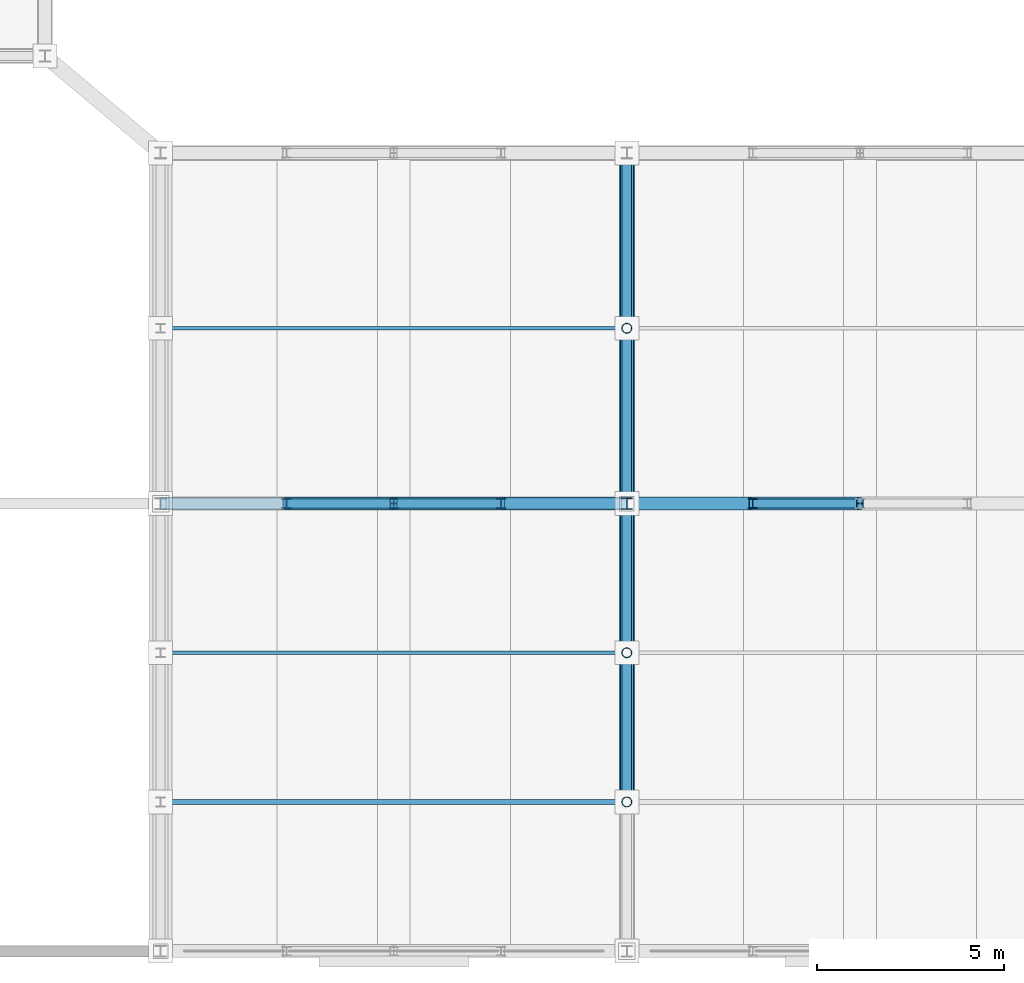
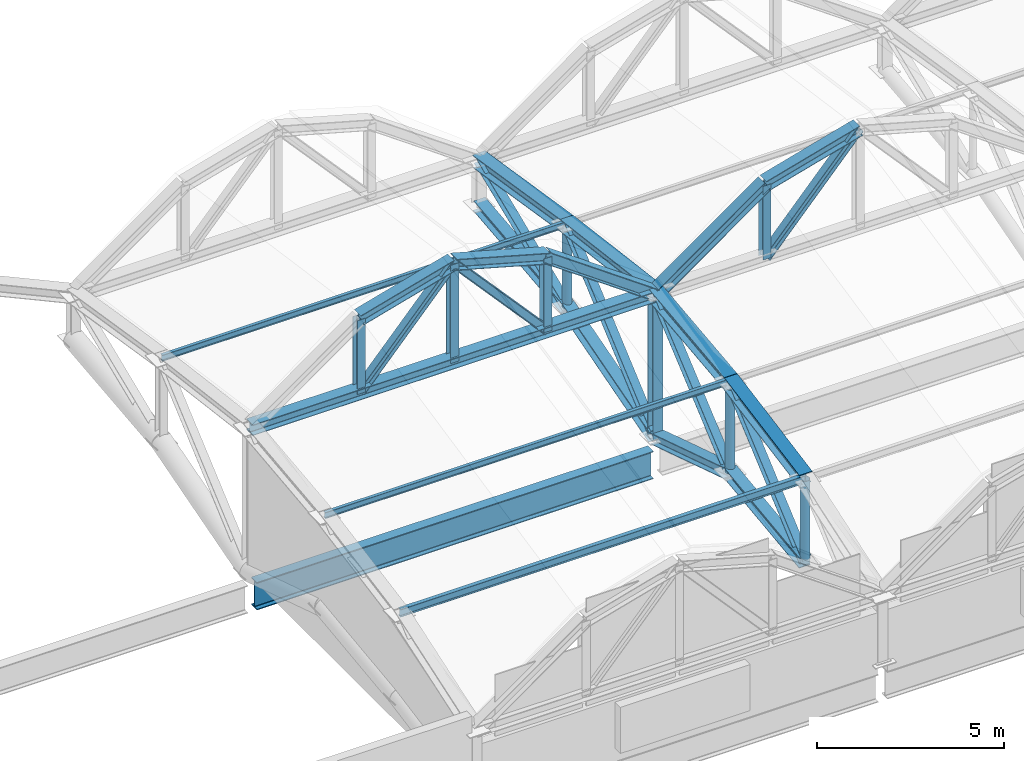
# One storey, part 18 of 117: 32 members, 1 beam.
"""IFC4 building model written with IfcOpenShell, lengths in metres."""

from ifc_helpers import new_model, si_unit, direction, frame, origin, origin_2d, place, context, subcontext, project, spatial, hollow_circle, i_section, extrude, material, material_profile, profile_set, type_object, element, save


model = new_model("IFC4")

# Units and contexts
model_context = context("Model", 3, precision=1e-05, world=origin(), true_north=direction((0.0, 1.0)))
body_context = subcontext(model_context, "Body", "Model", "MODEL_VIEW")
ifc_project = project(units=[si_unit("LENGTHUNIT", "METRE"), si_unit("AREAUNIT", "SQUARE_METRE"), si_unit("VOLUMEUNIT", "CUBIC_METRE"), si_unit("PLANEANGLEUNIT", "RADIAN"), si_unit("MASSUNIT", "GRAM", prefix="KILO")], contexts=[model_context])

# Site, building, storey
site_placement = place(None, origin())
site = spatial("IfcSite", under=ifc_project, at=site_placement, CompositionType="ELEMENT")
building_placement = place(site_placement, origin())
building = spatial("IfcBuilding", under=site, at=building_placement, Name="Kazenohara Klinker Stadium", CompositionType="ELEMENT")
storey_placement = place(building_placement, frame((0.0, 0.0, 31.199951171875)))
storey = spatial("IfcBuildingStorey", under=building, at=storey_placement, Name="RF", CompositionType="ELEMENT", Elevation=31.199951171875)

# Members
ifc_material = material(Name="Steel S355", Category="steel")
ifc_material_profile_1 = material_profile(ifc_material, i_section(OverallWidth=0.25, OverallDepth=0.25, WebThickness=0.009033203125, FlangeThickness=0.013916015625, FilletRadius=0.012939453125, at=origin_2d()), Name="H-250x250x9x14")
ifc_profile_set_1 = profile_set([ifc_material_profile_1], Name="Steel S355")
member_type_1 = type_object("IfcMemberType", Name="MEM-BRC02", PredefinedType="BRACE", material=ifc_profile_set_1)
member_1_placement = place(storey_placement, frame((74.0, 28.0, 0.75), z_axis=(0.0, 0.757253091298, 0.653121547432), x_axis=(-1.0, 0.0, 0.0)))
element("IfcMember", 1, at=member_1_placement, inside=storey, type_object=member_type_1, Name="ROOF TRUSS RT-S02 web diagonal 2", PredefinedType="BRACE", context=body_context, shape_type="SweptSolid", body=[
    extrude(i_section(OverallWidth=0.25, OverallDepth=0.25, WebThickness=0.009033203125, FlangeThickness=0.013916015625, FilletRadius=0.012939453125, at=origin_2d()), origin(), (0.0, 0.0, 1.0), 5.2822265625),
])
member_2_placement = place(storey_placement, frame((74.0, 32.0, 1.25), z_axis=(0.0, 0.761925548551, 0.647664618815), x_axis=(-1.0, 0.0, 0.0)))
element("IfcMember", 2, at=member_2_placement, inside=storey, type_object=member_type_1, Name="ROOF TRUSS RT-S02 web diagonal 3", PredefinedType="BRACE", context=body_context, shape_type="SweptSolid", body=[
    extrude(i_section(OverallWidth=0.25, OverallDepth=0.25, WebThickness=0.009033203125, FlangeThickness=0.013916015625, FilletRadius=0.012939453125, at=origin_2d()), origin(), (0.0, 0.0, 1.0), 5.249755859375),
])
member_3_placement = place(storey_placement, frame((74.0, 36.0, -0.02001953125), z_axis=(0.0, 0.755945561544, 0.65463448426), x_axis=(-1.0, 0.0, 0.0)))
element("IfcMember", 3, at=member_3_placement, inside=storey, type_object=member_type_1, Name="ROOF TRUSS RT-S02 web diagonal 4", PredefinedType="BRACE", context=body_context, shape_type="SweptSolid", body=[
    extrude(i_section(OverallWidth=0.25, OverallDepth=0.25, WebThickness=0.009033203125, FlangeThickness=0.013916015625, FilletRadius=0.012939453125, at=origin_2d()), origin(), (0.0, 0.0, 1.0), 6.21728515625),
])
member_4_placement = place(storey_placement, frame((74.0, 40.699951171875, 1.35009765625), z_axis=(0.0, 0.923659284192, 0.383214726655), x_axis=(-1.0, 0.0, 0.0)))
element("IfcMember", 4, at=member_4_placement, inside=storey, type_object=member_type_1, Name="ROOF TRUSS RT-S02 web diagonal 5", PredefinedType="BRACE", context=body_context, shape_type="SweptSolid", body=[
    extrude(i_section(OverallWidth=0.25, OverallDepth=0.25, WebThickness=0.009033203125, FlangeThickness=0.013916015625, FilletRadius=0.012939453125, at=origin_2d()), origin(), (0.0, 0.0, 1.0), 5.08837890625),
])
ifc_material_profile_2 = material_profile(ifc_material, i_section(OverallWidth=0.39990234375, OverallDepth=0.39990234375, WebThickness=0.012939453125, FlangeThickness=0.02099609375, FilletRadius=0.02197265625, at=origin_2d()), Name="H-400x400x13x21")
ifc_profile_set_2 = profile_set([ifc_material_profile_2], Name="Steel S355")
member_type_2 = type_object("IfcMemberType", Name="MEM-CHD01", PredefinedType="CHORD", material=ifc_profile_set_2)
member_5_placement = place(storey_placement, frame((74.0, 28.0, 3.449951171875), z_axis=(0.0, 0.982872186934, 0.18428853505), x_axis=(-1.0, 0.0, 0.0)))
element("IfcMember", 5, at=member_5_placement, inside=storey, type_object=member_type_2, Name="ROOF TRUSS RT-S02 top arched chord 2", PredefinedType="CHORD", context=body_context, shape_type="SweptSolid", body=[
    extrude(i_section(OverallWidth=0.39990234375, OverallDepth=0.39990234375, WebThickness=0.012939453125, FlangeThickness=0.02099609375, FilletRadius=0.02197265625, at=origin_2d()), origin(), (0.0, 0.0, 1.0), 4.06982421875),
])
member_6_placement = place(storey_placement, frame((74.0, 32.0, 4.199951171875), z_axis=(0.0, 0.993725924527, 0.111842688283), x_axis=(-1.0, 0.0, 0.0)))
element("IfcMember", 6, at=member_6_placement, inside=storey, type_object=member_type_2, Name="ROOF TRUSS RT-S02 top arched chord 3", PredefinedType="CHORD", context=body_context, shape_type="SweptSolid", body=[
    extrude(i_section(OverallWidth=0.39990234375, OverallDepth=0.39990234375, WebThickness=0.012939453125, FlangeThickness=0.02099609375, FilletRadius=0.02197265625, at=origin_2d()), origin(), (0.0, 0.0, 1.0), 4.025146484375),
])
member_7_placement = place(storey_placement, frame((74.0, 36.0, 4.650146484375), z_axis=(0.0, 0.99194702514, -0.126653461524), x_axis=(-1.0, 0.0, 0.0)))
element("IfcMember", 7, at=member_7_placement, inside=storey, type_object=member_type_2, Name="ROOF TRUSS RT-S02 top arched chord 4", PredefinedType="CHORD", context=body_context, shape_type="SweptSolid", body=[
    extrude(i_section(OverallWidth=0.39990234375, OverallDepth=0.39990234375, WebThickness=0.012939453125, FlangeThickness=0.02099609375, FilletRadius=0.02197265625, at=origin_2d()), origin(), (0.0, 0.0, 1.0), 4.738037109375),
])
member_8_placement = place(storey_placement, frame((74.0, 40.699951171875, 4.050048828125), z_axis=(0.0, 0.987505848374, -0.157582357602), x_axis=(-1.0, 0.0, 0.0)))
element("IfcMember", 8, at=member_8_placement, inside=storey, type_object=member_type_2, Name="ROOF TRUSS RT-S02 top arched chord 5", PredefinedType="CHORD", context=body_context, shape_type="SweptSolid", body=[
    extrude(i_section(OverallWidth=0.39990234375, OverallDepth=0.39990234375, WebThickness=0.012939453125, FlangeThickness=0.02099609375, FilletRadius=0.02197265625, at=origin_2d()), origin(), (0.0, 0.0, 1.0), 4.759521484375),
])
ifc_material_profile_3 = material_profile(ifc_material, i_section(OverallWidth=0.35009765625, OverallDepth=0.35009765625, WebThickness=0.011962890625, FlangeThickness=0.01904296875, FilletRadius=0.012939453125, at=origin_2d()), Name="H-350x350x12x19")
ifc_profile_set_3 = profile_set([ifc_material_profile_3], Name="Steel S355")
member_type_3 = type_object("IfcMemberType", Name="MEM-CHD02", PredefinedType="CHORD", material=ifc_profile_set_3)
member_9_placement = place(storey_placement, frame((74.0, 28.0, 0.75), z_axis=(0.0, 0.992277876714, 0.124034734589), x_axis=(-1.0, 0.0, 0.0)))
element("IfcMember", 9, at=member_9_placement, inside=storey, type_object=member_type_3, Name="ROOF TRUSS RT-S02 bottom arched chord 2", PredefinedType="CHORD", context=body_context, shape_type="SweptSolid", body=[
    extrude(i_section(OverallWidth=0.35009765625, OverallDepth=0.35009765625, WebThickness=0.011962890625, FlangeThickness=0.01904296875, FilletRadius=0.012939453125, at=origin_2d()), origin(), (0.0, 0.0, 1.0), 4.03125),
])
member_10_placement = place(storey_placement, frame((74.0, 32.0, 1.25), z_axis=(0.0, 0.953112016541, -0.302617719119), x_axis=(-1.0, 0.0, 0.0)))
element("IfcMember", 10, at=member_10_placement, inside=storey, type_object=member_type_3, Name="ROOF TRUSS RT-S02 bottom arched chord 3", PredefinedType="CHORD", context=body_context, shape_type="SweptSolid", body=[
    extrude(i_section(OverallWidth=0.35009765625, OverallDepth=0.35009765625, WebThickness=0.011962890625, FlangeThickness=0.01904296875, FilletRadius=0.012939453125, at=origin_2d()), origin(), (0.0, 0.0, 1.0), 4.19677734375),
])
member_11_placement = place(storey_placement, frame((74.0, 36.0, -0.02001953125), z_axis=(0.0, 0.960038530088, 0.279867863012), x_axis=(-1.0, 0.0, 0.0)))
element("IfcMember", 11, at=member_11_placement, inside=storey, type_object=member_type_3, Name="ROOF TRUSS RT-S02 bottom arched chord 4", PredefinedType="CHORD", context=body_context, shape_type="SweptSolid", body=[
    extrude(i_section(OverallWidth=0.35009765625, OverallDepth=0.35009765625, WebThickness=0.011962890625, FlangeThickness=0.01904296875, FilletRadius=0.012939453125, at=origin_2d()), origin(), (0.0, 0.0, 1.0), 4.8955078125),
])
member_12_placement = place(storey_placement, frame((74.0, 40.699951171875, 1.35009765625), z_axis=(0.0, 0.99438879757, 0.105787141313), x_axis=(-1.0, 0.0, 0.0)))
element("IfcMember", 12, at=member_12_placement, inside=storey, type_object=member_type_3, Name="ROOF TRUSS RT-S02 bottom arched chord 5", PredefinedType="CHORD", context=body_context, shape_type="SweptSolid", body=[
    extrude(i_section(OverallWidth=0.35009765625, OverallDepth=0.35009765625, WebThickness=0.011962890625, FlangeThickness=0.01904296875, FilletRadius=0.012939453125, at=origin_2d()), origin(), (0.0, 0.0, 1.0), 4.7265625),
])
member_13_placement = place(storey_placement, frame((61.5, 36.0, 4.650146484375), z_axis=(1.0, 0.0, 0.0), x_axis=(0.0, 1.0, 0.0)))
element("IfcMember", 13, at=member_13_placement, inside=storey, type_object=member_type_3, Name="Barrel arch tie chord TC02 S-01-N3", PredefinedType="CHORD", context=body_context, shape_type="SweptSolid", body=[
    extrude(i_section(OverallWidth=0.35009765625, OverallDepth=0.35009765625, WebThickness=0.011962890625, FlangeThickness=0.01904296875, FilletRadius=0.012939453125, at=origin_2d()), origin(), (0.0, 0.0, 1.0), 12.5),
])
for number, where, z_axis, x_axis, name in (
    (14, (64.875, 36.0, 7.050048828125), (0.963393567269, 0.0, 0.268091093745), (0.0, 1.0, 0.0), "Barrel arch top rib TC02 S-01-N3-S2"),
    (15, (67.75, 36.0, 7.85009765625), (0.963393567269, 0.0, -0.268091093745), (0.0, 1.0, 0.0), "Barrel arch top rib TC02 S-01-N3-S3"),
):
    element("IfcMember", number, at=place(storey_placement, frame(where, z_axis=z_axis, x_axis=x_axis)), inside=storey, type_object=member_type_3, Name=name, PredefinedType="CHORD", context=body_context, shape_type="SweptSolid", body=[
        extrude(i_section(OverallWidth=0.35009765625, OverallDepth=0.35009765625, WebThickness=0.011962890625, FlangeThickness=0.01904296875, FilletRadius=0.012939453125, at=origin_2d()), origin(), (0.0, 0.0, 1.0), 2.984130859375),
    ])
for number, where, z_axis, x_axis, name in (
    (16, (70.625, 36.0, 7.050048828125), (0.814966461491, 0.0, -0.579508124744), (0.0, 1.0, 0.0), "Barrel arch top rib TC02 S-01-N3-S4"),
    (17, (74.0, 36.0, 4.650146484375), (0.814966461491, 0.0, 0.579508124744), (0.0, 1.0, 0.0), "Barrel arch top rib TC02 S-02-N3-S1"),
):
    element("IfcMember", number, at=place(storey_placement, frame(where, z_axis=z_axis, x_axis=x_axis)), inside=storey, type_object=member_type_3, Name=name, PredefinedType="CHORD", context=body_context, shape_type="SweptSolid", body=[
        extrude(i_section(OverallWidth=0.35009765625, OverallDepth=0.35009765625, WebThickness=0.011962890625, FlangeThickness=0.01904296875, FilletRadius=0.012939453125, at=origin_2d()), origin(), (0.0, 0.0, 1.0), 4.141357421875),
    ])
member_14_placement = place(storey_placement, frame((77.375, 36.0, 7.050048828125), z_axis=(0.963393567269, 0.0, 0.268091093745), x_axis=(0.0, 1.0, 0.0)))
element("IfcMember", 18, at=member_14_placement, inside=storey, type_object=member_type_3, Name="Barrel arch top rib TC02 S-02-N3-S2", PredefinedType="CHORD", context=body_context, shape_type="SweptSolid", body=[
    extrude(i_section(OverallWidth=0.35009765625, OverallDepth=0.35009765625, WebThickness=0.011962890625, FlangeThickness=0.01904296875, FilletRadius=0.012939453125, at=origin_2d()), origin(), (0.0, 0.0, 1.0), 2.984130859375),
])
ifc_material_profile_4 = material_profile(ifc_material, i_section(OverallWidth=0.125, OverallDepth=0.25, WebThickness=0.006103515625, FlangeThickness=0.009033203125, FilletRadius=0.008056640625, at=origin_2d()), Name="H-250x125x6x9")
ifc_profile_set_4 = profile_set([ifc_material_profile_4], Name="Steel S355")
member_type_4 = type_object("IfcMemberType", Name="MEM-PUR01", PredefinedType="PURLIN", material=ifc_profile_set_4)
member_15_placement = place(storey_placement, frame((61.5, 28.0, 3.469970703125), z_axis=(1.0, 0.0, 0.0), x_axis=(0.0, 1.0, 0.0)))
element("IfcMember", 19, at=member_15_placement, inside=storey, type_object=member_type_4, Name="Canopy valley tie purlin PR01 S-01-N1", PredefinedType="PURLIN", context=body_context, shape_type="SweptSolid", body=[
    extrude(i_section(OverallWidth=0.125, OverallDepth=0.25, WebThickness=0.006103515625, FlangeThickness=0.009033203125, FilletRadius=0.008056640625, at=origin_2d()), origin(), (0.0, 0.0, 1.0), 12.5),
])
ifc_material_profile_5 = material_profile(ifc_material, i_section(OverallWidth=0.10009765625, OverallDepth=0.199951171875, WebThickness=0.005615234375, FlangeThickness=0.008056640625, FilletRadius=0.008056640625, at=origin_2d()), Name="H-200x100x5.5x8")
ifc_profile_set_5 = profile_set([ifc_material_profile_5], Name="Steel S355")
member_type_5 = type_object("IfcMemberType", Name="MEM-PUR02", PredefinedType="PURLIN", material=ifc_profile_set_5)
for number, where, z_axis, x_axis, name in (
    (20, (61.5, 32.0, 4.219970703125), (1.0, 0.0, 0.0), (0.0, 1.0, 0.0), "Canopy valley tie purlin PR02 S-01-N2"),
    (21, (61.5, 40.699951171875, 4.070068359375), (1.0, 0.0, 0.0), (0.0, 1.0, 0.0), "Canopy valley tie purlin PR02 S-01-N4"),
):
    element("IfcMember", number, at=place(storey_placement, frame(where, z_axis=z_axis, x_axis=x_axis)), inside=storey, type_object=member_type_5, Name=name, PredefinedType="PURLIN", context=body_context, shape_type="SweptSolid", body=[
        extrude(i_section(OverallWidth=0.10009765625, OverallDepth=0.199951171875, WebThickness=0.005615234375, FlangeThickness=0.008056640625, FilletRadius=0.008056640625, at=origin_2d()), origin(), (0.0, 0.0, 1.0), 12.5),
    ])
ifc_material_profile_6 = material_profile(ifc_material, i_section(OverallWidth=0.300048828125, OverallDepth=0.300048828125, WebThickness=0.010009765625, FlangeThickness=0.014892578125, FilletRadius=0.012939453125, at=origin_2d()), Name="H-300x300x10x15")
ifc_profile_set_6 = profile_set([ifc_material_profile_6], Name="Steel S355")
member_type_6 = type_object("IfcMemberType", Name="MEM-STR01", PredefinedType="STRUT", material=ifc_profile_set_6)
member_16_placement = place(storey_placement, frame((74.0, 36.0, -0.02001953125), z_axis=(0.0, 0.0, 1.0), x_axis=(1.0, 0.0, 0.0)))
element("IfcMember", 22, at=member_16_placement, inside=storey, type_object=member_type_6, Name="ROOF TRUSS RT-S02 web post 4", PredefinedType="STRUT", context=body_context, shape_type="SweptSolid", body=[
    extrude(i_section(OverallWidth=0.300048828125, OverallDepth=0.300048828125, WebThickness=0.010009765625, FlangeThickness=0.014892578125, FilletRadius=0.012939453125, at=origin_2d()), origin(), (0.0, 0.0, 1.0), 4.670166015625),
])
ifc_material_profile_7 = material_profile(ifc_material, i_section(OverallWidth=0.25, OverallDepth=0.25, WebThickness=0.009033203125, FlangeThickness=0.013916015625, FilletRadius=0.012939453125, at=origin_2d()), Name="H-250x250x9x14")
ifc_profile_set_7 = profile_set([ifc_material_profile_7], Name="Steel S355")
member_type_7 = type_object("IfcMemberType", Name="MEM-STR02", PredefinedType="STRUT", material=ifc_profile_set_7)
member_17_placement = place(storey_placement, frame((64.875, 36.0, 4.650146484375), z_axis=(0.0, 0.0, 1.0), x_axis=(1.0, 0.0, 0.0)))
element("IfcMember", 23, at=member_17_placement, inside=storey, type_object=member_type_7, Name="Barrel arch web post TS02 S-01-N3-P1", PredefinedType="STRUT", context=body_context, shape_type="SweptSolid", body=[
    extrude(i_section(OverallWidth=0.25, OverallDepth=0.25, WebThickness=0.009033203125, FlangeThickness=0.013916015625, FilletRadius=0.012939453125, at=origin_2d()), origin(), (0.0, 0.0, 1.0), 2.39990234375),
])
member_18_placement = place(storey_placement, frame((67.75, 36.0, 4.650146484375), z_axis=(0.0, 0.0, 1.0), x_axis=(1.0, 0.0, 0.0)))
element("IfcMember", 24, at=member_18_placement, inside=storey, type_object=member_type_7, Name="Barrel arch web post TS02 S-01-N3-P2", PredefinedType="STRUT", context=body_context, shape_type="SweptSolid", body=[
    extrude(i_section(OverallWidth=0.25, OverallDepth=0.25, WebThickness=0.009033203125, FlangeThickness=0.013916015625, FilletRadius=0.012939453125, at=origin_2d()), origin(), (0.0, 0.0, 1.0), 3.199951171875),
])
member_19_placement = place(storey_placement, frame((70.625, 36.0, 4.650146484375), z_axis=(0.0, 0.0, 1.0), x_axis=(1.0, 0.0, 0.0)))
element("IfcMember", 25, at=member_19_placement, inside=storey, type_object=member_type_7, Name="Barrel arch web post TS02 S-01-N3-P3", PredefinedType="STRUT", context=body_context, shape_type="SweptSolid", body=[
    extrude(i_section(OverallWidth=0.25, OverallDepth=0.25, WebThickness=0.009033203125, FlangeThickness=0.013916015625, FilletRadius=0.012939453125, at=origin_2d()), origin(), (0.0, 0.0, 1.0), 2.39990234375),
])
for number, where, z_axis, x_axis, name in (
    (26, (64.875, 36.0, 4.650146484375), (0.668327970369, 0.0, 0.74386673808), (0.0, 1.0, 0.0), "Barrel arch web diagonal TS02 S-01-N3-D1"),
    (27, (70.625, 36.0, 4.650146484375), (-0.668327970369, 0.0, 0.74386673808), (0.0, -1.0, 0.0), "Barrel arch web diagonal TS02 S-01-N3-D2"),
):
    element("IfcMember", number, at=place(storey_placement, frame(where, z_axis=z_axis, x_axis=x_axis)), inside=storey, type_object=member_type_7, Name=name, PredefinedType="STRUT", context=body_context, shape_type="SweptSolid", body=[
        extrude(i_section(OverallWidth=0.25, OverallDepth=0.25, WebThickness=0.009033203125, FlangeThickness=0.013916015625, FilletRadius=0.012939453125, at=origin_2d()), origin(), (0.0, 0.0, 1.0), 4.3017578125),
    ])
member_20_placement = place(storey_placement, frame((77.375, 36.0, 4.650146484375), z_axis=(0.0, 0.0, 1.0), x_axis=(1.0, 0.0, 0.0)))
element("IfcMember", 28, at=member_20_placement, inside=storey, type_object=member_type_7, Name="Barrel arch web post TS02 S-02-N3-P1", PredefinedType="STRUT", context=body_context, shape_type="SweptSolid", body=[
    extrude(i_section(OverallWidth=0.25, OverallDepth=0.25, WebThickness=0.009033203125, FlangeThickness=0.013916015625, FilletRadius=0.012939453125, at=origin_2d()), origin(), (0.0, 0.0, 1.0), 2.39990234375),
])
member_21_placement = place(storey_placement, frame((77.375, 36.0, 4.650146484375), z_axis=(0.668327970369, 0.0, 0.74386673808), x_axis=(0.0, 1.0, 0.0)))
element("IfcMember", 29, at=member_21_placement, inside=storey, type_object=member_type_7, Name="Barrel arch web diagonal TS02 S-02-N3-D1", PredefinedType="STRUT", context=body_context, shape_type="SweptSolid", body=[
    extrude(i_section(OverallWidth=0.25, OverallDepth=0.25, WebThickness=0.009033203125, FlangeThickness=0.013916015625, FilletRadius=0.012939453125, at=origin_2d()), origin(), (0.0, 0.0, 1.0), 4.3017578125),
])
ifc_material_profile_8 = material_profile(ifc_material, hollow_circle(Radius=0.1337890625, WallThickness=0.009033203125, at=origin_2d()), Name="CHS-267.4x9")
ifc_profile_set_8 = profile_set([ifc_material_profile_8], Name="Steel S355")
member_type_8 = type_object("IfcMemberType", Name="MEM-STR03", PredefinedType="STRUT", material=ifc_profile_set_8)
member_22_placement = place(storey_placement, frame((74.0, 28.0, 0.75), z_axis=(0.0, 0.0, 1.0), x_axis=(1.0, 0.0, 0.0)))
element("IfcMember", 30, at=member_22_placement, inside=storey, type_object=member_type_8, Name="ROOF TRUSS RT-S02 web post 2", PredefinedType="STRUT", context=body_context, shape_type="SweptSolid", body=[
    extrude(hollow_circle(Radius=0.1337890625, WallThickness=0.009033203125, at=origin_2d()), origin(), (0.0, 0.0, 1.0), 2.699951171875),
])
member_23_placement = place(storey_placement, frame((74.0, 32.0, 1.25), z_axis=(0.0, 0.0, 1.0), x_axis=(1.0, 0.0, 0.0)))
element("IfcMember", 31, at=member_23_placement, inside=storey, type_object=member_type_8, Name="ROOF TRUSS RT-S02 web post 3", PredefinedType="STRUT", context=body_context, shape_type="SweptSolid", body=[
    extrude(hollow_circle(Radius=0.1337890625, WallThickness=0.009033203125, at=origin_2d()), origin(), (0.0, 0.0, 1.0), 2.949951171875),
])
member_24_placement = place(storey_placement, frame((74.0, 40.699951171875, 1.35009765625), z_axis=(0.0, 0.0, 1.0), x_axis=(1.0, 0.0, 0.0)))
element("IfcMember", 32, at=member_24_placement, inside=storey, type_object=member_type_8, Name="ROOF TRUSS RT-S02 web post 5", PredefinedType="STRUT", context=body_context, shape_type="SweptSolid", body=[
    extrude(hollow_circle(Radius=0.1337890625, WallThickness=0.009033203125, at=origin_2d()), origin(), (0.0, 0.0, 1.0), 2.699951171875),
])

# Beam
ifc_material_profile_9 = material_profile(ifc_material, i_section(OverallWidth=0.300048828125, OverallDepth=0.89990234375, WebThickness=0.01611328125, FlangeThickness=0.028076171875, FilletRadius=0.02197265625, at=origin_2d()), Name="H-900x300x16x28")
ifc_profile_set_9 = profile_set([ifc_material_profile_9], Name="Steel S355")
beam_type = type_object("IfcBeamType", Name="RING-RB01", PredefinedType="USERDEFINED", material=ifc_profile_set_9)
beam_placement = place(storey_placement, frame((61.639892578125, 36.0, -0.820068359375), z_axis=(1.0, 0.0, 0.0), x_axis=(0.0, 1.0, 0.0)))
element("IfcBeam", 33, at=beam_placement, inside=storey, type_object=beam_type, Name="Roof ring beam RB01 S-IN 6-7", ObjectType="RING BEAM", PredefinedType="USERDEFINED", context=body_context, shape_type="SweptSolid", body=[
    extrude(i_section(OverallWidth=0.300048828125, OverallDepth=0.89990234375, WebThickness=0.01611328125, FlangeThickness=0.028076171875, FilletRadius=0.02197265625, at=origin_2d()), origin(), (0.0, 0.0, 1.0), 12.22021484375),
])

save(model, "model.ifc")
